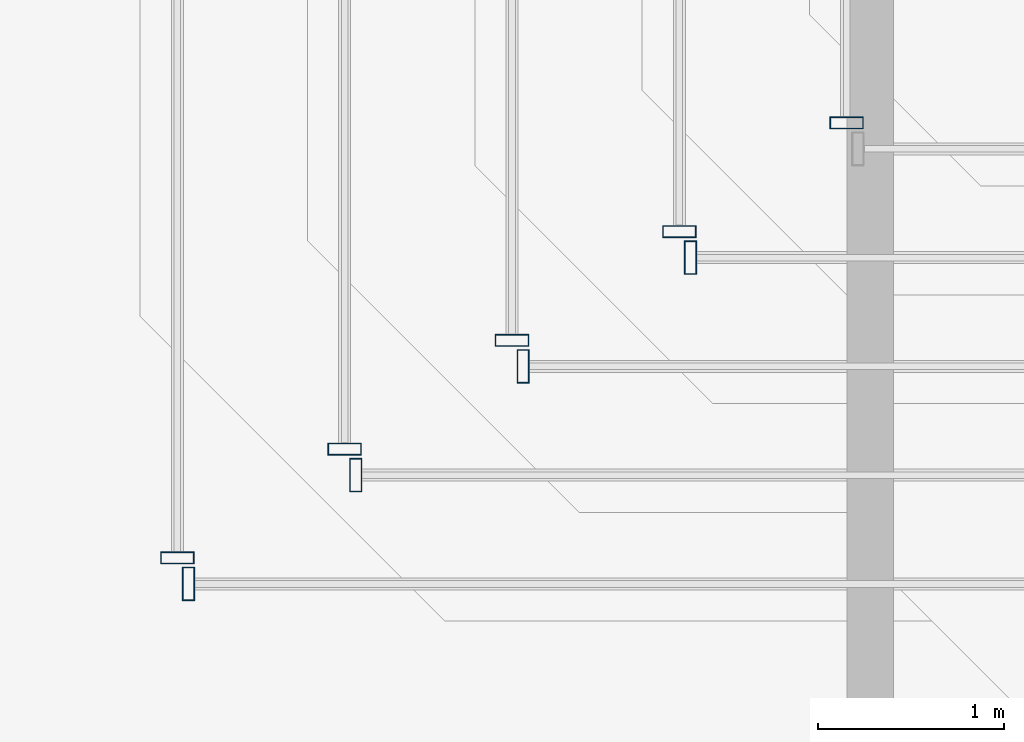
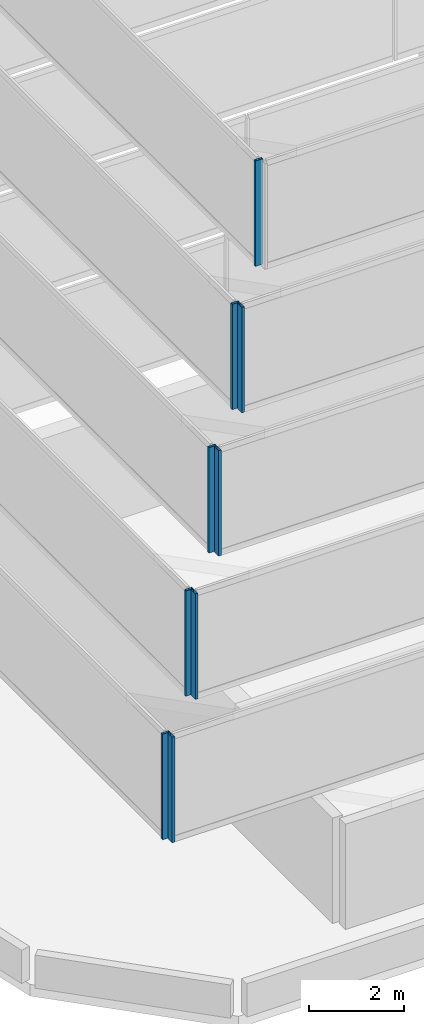
# One storey, part 1 of 29: 9 members, 9 elements without a shape of their own.
"""IFC4 building model written with IfcOpenShell, lengths in metres."""

from ifc_helpers import new_model, si_unit, direction, frame, origin, origin_2d, place, context, subcontext, project, spatial, hollow_rectangle, extrude, material, material_profile, profile_set, type_object, element, aggregate, save


model = new_model("IFC4")

# Units and contexts
model_context = context("Model", 3, precision=1e-05, world=origin(), true_north=direction((0.0, 1.0)))
body_context = subcontext(model_context, "Body", "Model", "MODEL_VIEW")
ifc_project = project(units=[si_unit("LENGTHUNIT", "METRE"), si_unit("AREAUNIT", "SQUARE_METRE"), si_unit("VOLUMEUNIT", "CUBIC_METRE"), si_unit("PLANEANGLEUNIT", "RADIAN"), si_unit("MASSUNIT", "GRAM", prefix="KILO")], contexts=[model_context])

# Site, building, storey
site_placement = place(None, origin())
site = spatial("IfcSite", under=ifc_project, at=site_placement, CompositionType="ELEMENT")
building_placement = place(site_placement, origin())
building = spatial("IfcBuilding", under=site, at=building_placement, Name="Saevonmaru Cultural Tower", CompositionType="ELEMENT")
storey_placement = place(building_placement, frame((0.0, 0.0, 327.60009765625)))
storey = spatial("IfcBuildingStorey", under=building, at=storey_placement, Name="RF", CompositionType="ELEMENT", Elevation=327.60009765625)

# Curtain wall, member
ifc_material = material(Name="Satin Bronze Anodised Aluminium", Category="aluminium")
curtain_wall_type = type_object("IfcCurtainWallType", Name="CW-TYP-B", PredefinedType="NOTDEFINED", material=ifc_material)
curtain_wall_1_placement = place(storey_placement, origin())
curtain_wall_1 = element("IfcCurtainWall", 1, at=curtain_wall_1_placement, inside=storey, type_object=curtain_wall_type, Name="RF Ziggurat Crown Tier 2 Bronze Louvre Screen 1", PredefinedType="NOTDEFINED")
ifc_material_profile = material_profile(ifc_material, hollow_rectangle(XDim=0.06494140625, YDim=0.179931640625, WallThickness=0.00390625, at=origin_2d()), Name="ALU-MULL-180x65x4")
ifc_profile_set = profile_set([ifc_material_profile], Name="Satin Bronze Anodised Aluminium")
member_type = type_object("IfcMemberType", Name="ML-CW-180x65", PredefinedType="MULLION", material=ifc_profile_set)
member_1_placement = place(storey_placement, frame((9.8330078125, 39.3701171875, 3.0), z_axis=(0.0, 0.0, 1.0), x_axis=(1.0, 0.0, 0.0)))
member_1 = element("IfcMember", 2, at=member_1_placement, type_object=member_type, Name="CW-CROWN-T2-1 mullion 1", PredefinedType="MULLION", context=body_context, shape_type="SweptSolid", body=[
    extrude(hollow_rectangle(XDim=0.06494140625, YDim=0.179931640625, WallThickness=0.00390625, at=origin_2d()), origin(), (0.0, 0.0, 1.0), 2.699951171875),
])
aggregate(curtain_wall_1, [member_1])

curtain_wall_2_placement = place(storey_placement, origin())
curtain_wall_2 = element("IfcCurtainWall", 3, at=curtain_wall_2_placement, inside=storey, type_object=curtain_wall_type, Name="RF Ziggurat Crown Tier 2 Bronze Louvre Screen 4", PredefinedType="NOTDEFINED")
member_2_placement = place(storey_placement, frame((9.77294921875, 39.510009765625, 3.0), z_axis=(0.0, 0.0, 1.0), x_axis=(0.0, -1.0, 0.0)))
member_2 = element("IfcMember", 4, at=member_2_placement, type_object=member_type, Name="CW-CROWN-T2-4 mullion 2", PredefinedType="MULLION", context=body_context, shape_type="SweptSolid", body=[
    extrude(hollow_rectangle(XDim=0.06494140625, YDim=0.179931640625, WallThickness=0.00390625, at=origin_2d()), origin(), (0.0, 0.0, 1.0), 2.699951171875),
])
aggregate(curtain_wall_2, [member_2])

curtain_wall_3_placement = place(storey_placement, origin())
curtain_wall_3 = element("IfcCurtainWall", 5, at=curtain_wall_3_placement, inside=storey, type_object=curtain_wall_type, Name="RF Ziggurat Crown Tier 3 Bronze Louvre Screen 1", PredefinedType="NOTDEFINED")
member_3_placement = place(storey_placement, frame((10.73291015625, 39.955078125, 6.0), z_axis=(0.0, 0.0, 1.0), x_axis=(1.0, 0.0, 0.0)))
member_3 = element("IfcMember", 6, at=member_3_placement, type_object=member_type, Name="CW-CROWN-T3-1 mullion 1", PredefinedType="MULLION", context=body_context, shape_type="SweptSolid", body=[
    extrude(hollow_rectangle(XDim=0.06494140625, YDim=0.179931640625, WallThickness=0.00390625, at=origin_2d()), origin(), (0.0, 0.0, 1.0), 2.699951171875),
])
aggregate(curtain_wall_3, [member_3])

curtain_wall_4_placement = place(storey_placement, origin())
curtain_wall_4 = element("IfcCurtainWall", 7, at=curtain_wall_4_placement, inside=storey, type_object=curtain_wall_type, Name="RF Ziggurat Crown Tier 3 Bronze Louvre Screen 4", PredefinedType="NOTDEFINED")
member_4_placement = place(storey_placement, frame((10.673095703125, 40.094970703125, 6.0), z_axis=(0.0, 0.0, 1.0), x_axis=(0.0, -1.0, 0.0)))
member_4 = element("IfcMember", 8, at=member_4_placement, type_object=member_type, Name="CW-CROWN-T3-4 mullion 2", PredefinedType="MULLION", context=body_context, shape_type="SweptSolid", body=[
    extrude(hollow_rectangle(XDim=0.06494140625, YDim=0.179931640625, WallThickness=0.00390625, at=origin_2d()), origin(), (0.0, 0.0, 1.0), 2.699951171875),
])
aggregate(curtain_wall_4, [member_4])

curtain_wall_5_placement = place(storey_placement, origin())
curtain_wall_5 = element("IfcCurtainWall", 9, at=curtain_wall_5_placement, inside=storey, type_object=curtain_wall_type, Name="RF Ziggurat Crown Tier 4 Bronze Louvre Screen 1", PredefinedType="NOTDEFINED")
member_5_placement = place(storey_placement, frame((11.633056640625, 40.5400390625, 9.0), z_axis=(0.0, 0.0, 1.0), x_axis=(1.0, 0.0, 0.0)))
member_5 = element("IfcMember", 10, at=member_5_placement, type_object=member_type, Name="CW-CROWN-T4-1 mullion 1", PredefinedType="MULLION", context=body_context, shape_type="SweptSolid", body=[
    extrude(hollow_rectangle(XDim=0.06494140625, YDim=0.179931640625, WallThickness=0.00390625, at=origin_2d()), origin(), (0.0, 0.0, 1.0), 2.699951171875),
])
aggregate(curtain_wall_5, [member_5])

curtain_wall_6_placement = place(storey_placement, origin())
curtain_wall_6 = element("IfcCurtainWall", 11, at=curtain_wall_6_placement, inside=storey, type_object=curtain_wall_type, Name="RF Ziggurat Crown Tier 4 Bronze Louvre Screen 4", PredefinedType="NOTDEFINED")
member_6_placement = place(storey_placement, frame((11.572998046875, 40.679931640625, 9.0), z_axis=(0.0, 0.0, 1.0), x_axis=(0.0, -1.0, 0.0)))
member_6 = element("IfcMember", 12, at=member_6_placement, type_object=member_type, Name="CW-CROWN-T4-4 mullion 2", PredefinedType="MULLION", context=body_context, shape_type="SweptSolid", body=[
    extrude(hollow_rectangle(XDim=0.06494140625, YDim=0.179931640625, WallThickness=0.00390625, at=origin_2d()), origin(), (0.0, 0.0, 1.0), 2.699951171875),
])
aggregate(curtain_wall_6, [member_6])

curtain_wall_7_placement = place(storey_placement, origin())
curtain_wall_7 = element("IfcCurtainWall", 13, at=curtain_wall_7_placement, inside=storey, type_object=curtain_wall_type, Name="RF Ziggurat Crown Tier 5 Bronze Louvre Screen 1", PredefinedType="NOTDEFINED")
member_7_placement = place(storey_placement, frame((12.532958984375, 41.125, 12.0), z_axis=(0.0, 0.0, 1.0), x_axis=(1.0, 0.0, 0.0)))
member_7 = element("IfcMember", 14, at=member_7_placement, type_object=member_type, Name="CW-CROWN-T5-1 mullion 1", PredefinedType="MULLION", context=body_context, shape_type="SweptSolid", body=[
    extrude(hollow_rectangle(XDim=0.06494140625, YDim=0.179931640625, WallThickness=0.00390625, at=origin_2d()), origin(), (0.0, 0.0, 1.0), 2.699951171875),
])
aggregate(curtain_wall_7, [member_7])

curtain_wall_8_placement = place(storey_placement, origin())
curtain_wall_8 = element("IfcCurtainWall", 15, at=curtain_wall_8_placement, inside=storey, type_object=curtain_wall_type, Name="RF Ziggurat Crown Tier 5 Bronze Louvre Screen 4", PredefinedType="NOTDEFINED")
member_8_placement = place(storey_placement, frame((12.472900390625, 41.264892578125, 12.0), z_axis=(0.0, 0.0, 1.0), x_axis=(0.0, -1.0, 0.0)))
member_8 = element("IfcMember", 16, at=member_8_placement, type_object=member_type, Name="CW-CROWN-T5-4 mullion 2", PredefinedType="MULLION", context=body_context, shape_type="SweptSolid", body=[
    extrude(hollow_rectangle(XDim=0.06494140625, YDim=0.179931640625, WallThickness=0.00390625, at=origin_2d()), origin(), (0.0, 0.0, 1.0), 2.699951171875),
])
aggregate(curtain_wall_8, [member_8])

curtain_wall_9_placement = place(storey_placement, origin())
curtain_wall_9 = element("IfcCurtainWall", 17, at=curtain_wall_9_placement, inside=storey, type_object=curtain_wall_type, Name="RF Ziggurat Crown Tier 6 Bronze Louvre Screen 4", PredefinedType="NOTDEFINED")
member_9_placement = place(storey_placement, frame((13.373046875, 41.85009765625, 15.0), z_axis=(0.0, 0.0, 1.0), x_axis=(0.0, -1.0, 0.0)))
member_9 = element("IfcMember", 18, at=member_9_placement, type_object=member_type, Name="CW-CROWN-T6-4 mullion 2", PredefinedType="MULLION", context=body_context, shape_type="SweptSolid", body=[
    extrude(hollow_rectangle(XDim=0.06494140625, YDim=0.179931640625, WallThickness=0.00390625, at=origin_2d()), origin(), (0.0, 0.0, 1.0), 2.699951171875),
])
aggregate(curtain_wall_9, [member_9])

save(model, "model.ifc")
